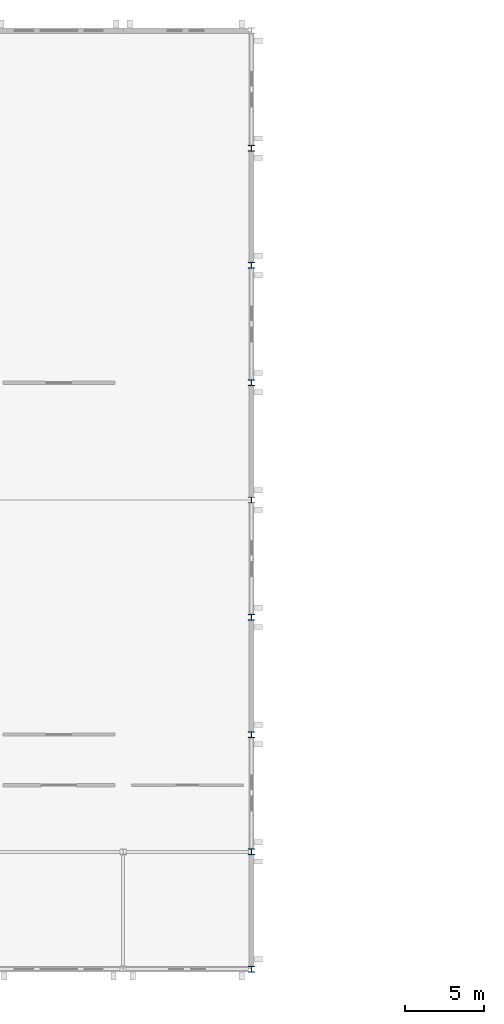
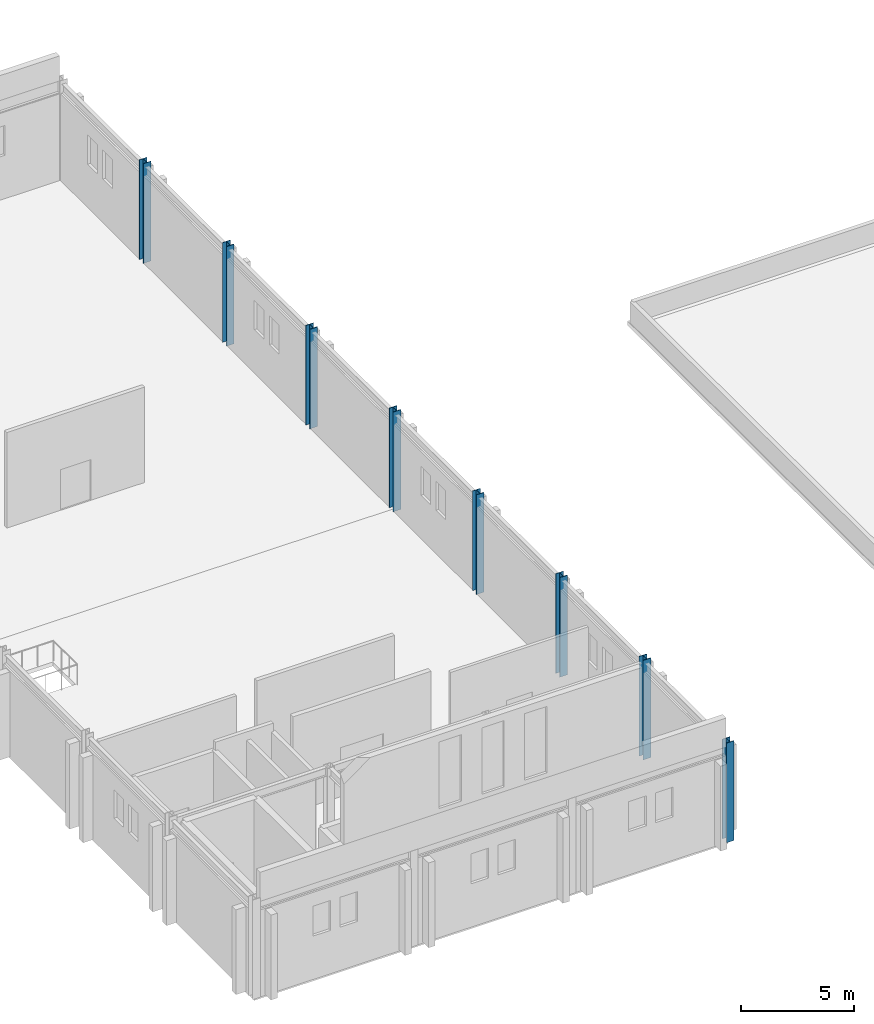
# One storey, part 3 of 10: 8 columns.
"""IFC4 building model written with IfcOpenShell, lengths in metres."""

from ifc_helpers import new_model, si_unit, direction, frame, origin, origin_2d, place, context, subcontext, project, spatial, i_section, extrude, material, material_profile, profile_set, type_object, element, save


model = new_model("IFC4")

# Units and contexts
model_context = context("Model", 3, precision=1e-05, world=origin(), true_north=direction((0.0, 1.0)))
body_context = subcontext(model_context, "Body", "Model", "MODEL_VIEW")
ifc_project = project(units=[si_unit("LENGTHUNIT", "METRE"), si_unit("AREAUNIT", "SQUARE_METRE"), si_unit("VOLUMEUNIT", "CUBIC_METRE"), si_unit("PLANEANGLEUNIT", "RADIAN"), si_unit("MASSUNIT", "GRAM", prefix="KILO")], contexts=[model_context])

# Site, building, storey
site_placement = place(None, origin())
site = spatial("IfcSite", under=ifc_project, at=site_placement, CompositionType="ELEMENT")
building_placement = place(site_placement, origin())
building = spatial("IfcBuilding", under=site, at=building_placement, Name="Cimatlan Art Gallery", CompositionType="ELEMENT")
storey_placement = place(building_placement, frame((0.0, 0.0, 21.0)))
storey = spatial("IfcBuildingStorey", under=building, at=storey_placement, Name="L05", CompositionType="ELEMENT", Elevation=21.0)

# Columns
ifc_material = material(Name="Steel ASTM A992 Grade 50", Category="steel")
ifc_material_profile = material_profile(ifc_material, i_section(OverallWidth=0.39404296875, OverallDepth=0.3759765625, WebThickness=0.017333984375, FlangeThickness=0.027587890625, at=origin_2d()), Name="W14X145")
ifc_profile_set = profile_set([ifc_material_profile], Name="Steel ASTM A992 Grade 50")
column_type = type_object("IfcColumnType", Name="COL-STL-W14X145", PredefinedType="COLUMN", material=ifc_profile_set)
for number, where, z_axis, x_axis, name in (
    (1, (99.199951171875, 23.89990234375, 0.0), (0.0, 0.0, 1.0), (1.0, 0.0, 0.0), "COL-L05-12-03"),
    (2, (99.199951171875, 31.300048828125, 0.0), (0.0, 0.0, 1.0), (1.0, 0.0, 0.0), "COL-L05-12-04"),
    (3, (99.199951171875, 38.699951171875, 0.0), (0.0, 0.0, 1.0), (1.0, 0.0, 0.0), "COL-L05-12-05"),
    (4, (99.199951171875, 46.10009765625, 0.0), (0.0, 0.0, 1.0), (1.0, 0.0, 0.0), "COL-L05-12-06"),
    (5, (99.199951171875, 53.5, 0.0), (0.0, 0.0, 1.0), (1.0, 0.0, 0.0), "COL-L05-12-07"),
    (6, (99.199951171875, 60.89990234375, 0.0), (0.0, 0.0, 1.0), (1.0, 0.0, 0.0), "COL-L05-12-08"),
    (7, (99.199951171875, 68.300048828125, 0.0), (0.0, 0.0, 1.0), (1.0, 0.0, 0.0), "COL-L05-12-09"),
    (8, (99.199951171875, 75.699951171875, 0.0), (0.0, 0.0, 1.0), (1.0, 0.0, 0.0), "COL-L05-12-10"),
):
    element("IfcColumn", number, at=place(storey_placement, frame(where, z_axis=z_axis, x_axis=x_axis)), inside=storey, type_object=column_type, Name=name, PredefinedType="COLUMN", context=body_context, shape_type="SweptSolid", body=[
        extrude(i_section(OverallWidth=0.39404296875, OverallDepth=0.3759765625, WebThickness=0.017333984375, FlangeThickness=0.027587890625, at=origin_2d()), origin(), (0.0, 0.0, 1.0), 5.39990234375),
    ])

save(model, "model.ifc")
